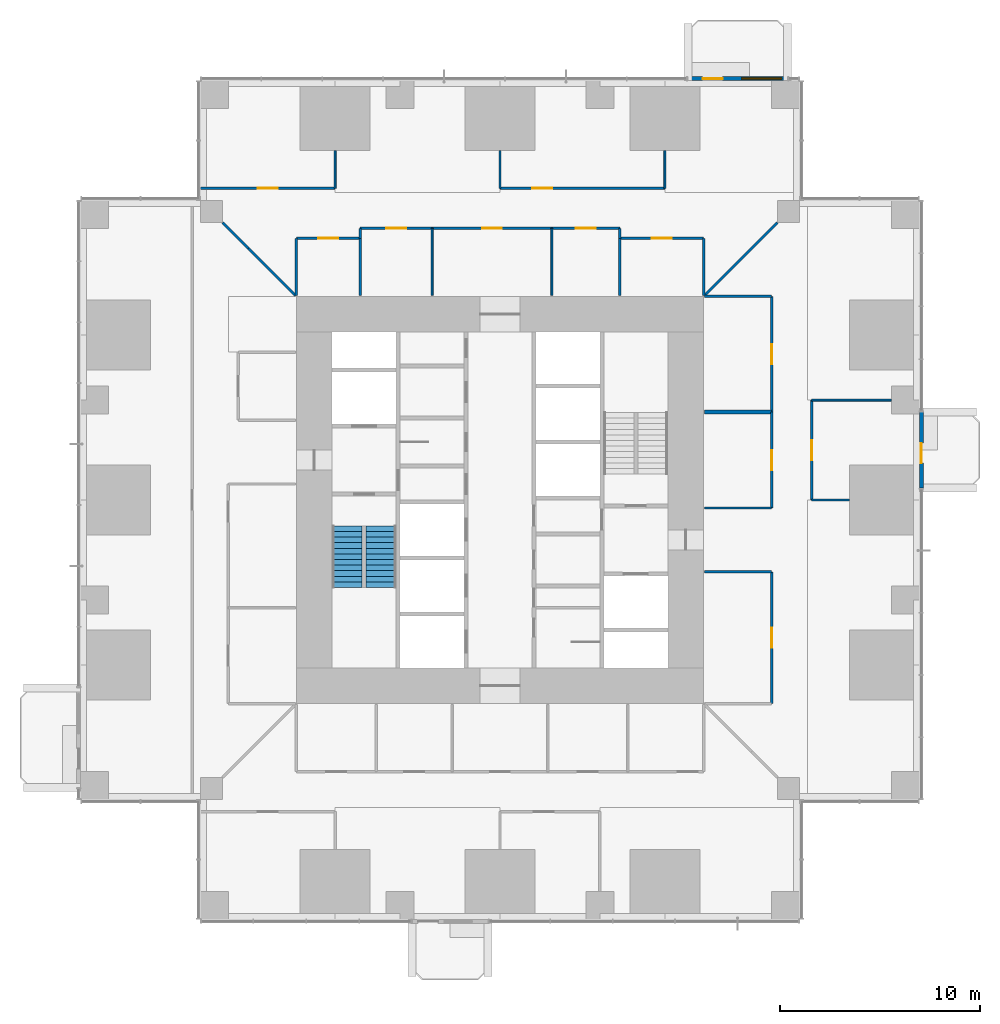
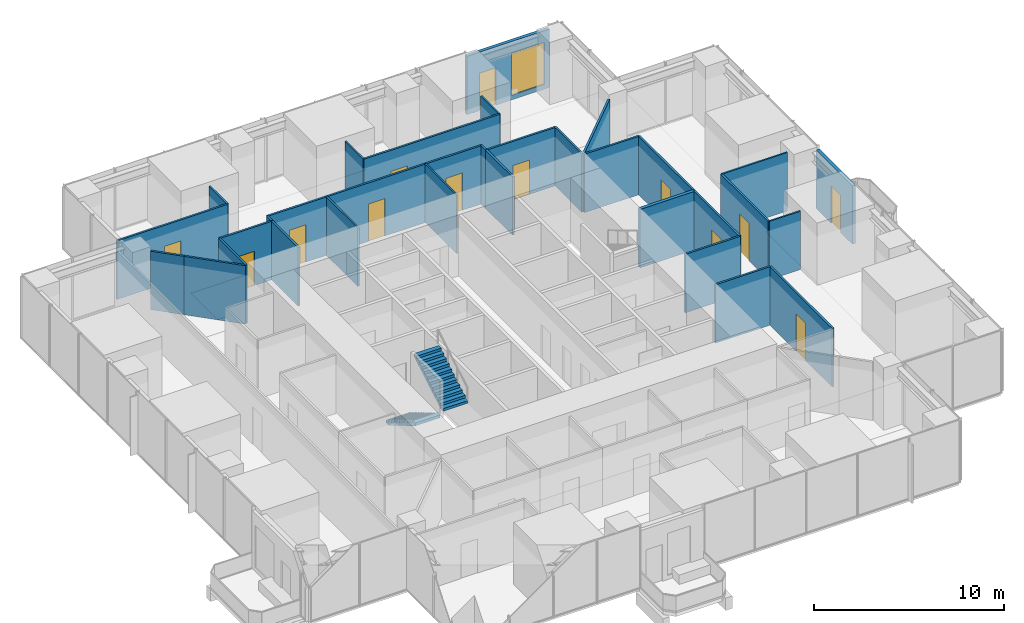
# One storey, part 13 of 18: 33 walls, 13 doors, 2 stair flights, 1 window, 14 openings, 1 element without a shape of its own.
"""IFC4 building model written with IfcOpenShell, lengths in metres."""

from ifc_helpers import new_model, si_unit, direction, frame, frame_2d, origin, place, context, subcontext, project, spatial, polyline, rectangle, outline, extrude, material, layer, layer_set, type_object, element, fill, aggregate, save


model = new_model("IFC4")

# Units and contexts
model_context = context("Model", 3, precision=1e-05, world=origin(), true_north=direction((0.0, 1.0)))
body_context = subcontext(model_context, "Body", "Model", "MODEL_VIEW")
ifc_project = project(units=[si_unit("LENGTHUNIT", "METRE"), si_unit("AREAUNIT", "SQUARE_METRE"), si_unit("VOLUMEUNIT", "CUBIC_METRE"), si_unit("PLANEANGLEUNIT", "RADIAN"), si_unit("MASSUNIT", "GRAM", prefix="KILO")], contexts=[model_context])

# Site, building, storey
site_placement = place(None, origin())
site = spatial("IfcSite", under=ifc_project, at=site_placement, CompositionType="ELEMENT")
building_placement = place(site_placement, origin())
building = spatial("IfcBuilding", under=site, at=building_placement, Name="Svetlomir Tower", CompositionType="ELEMENT")
storey_placement = place(building_placement, frame((0.0, 0.0, 46.5)))
storey = spatial("IfcBuildingStorey", under=building, at=storey_placement, Name="L10", CompositionType="ELEMENT", Elevation=46.5)

# Wall
ifc_material_1 = material(Name="Gypsum board on twin steel studs", Category="steel")
ifc_layer_1 = layer(ifc_material_1, 0.199951171875)
ifc_layer_set_1 = layer_set([ifc_layer_1], Name="Gypsum board on twin steel studs")
wall_type_1 = type_object("IfcWallType", Name="ACOUSTIC PARTITION 200", PredefinedType="PARTITIONING", material=ifc_layer_set_1)
wall_1_placement = place(storey_placement, frame((31.25, 25.39990234375, 0.0), z_axis=(0.0, 0.0, 1.0), x_axis=(1.0, 0.0, 0.0)))
element("IfcWall", 1, at=wall_1_placement, inside=storey, type_object=wall_type_1, Name="Acoustic partition L10", PredefinedType="PARTITIONING", context=body_context, shape_type="SweptSolid", body=[
    extrude(rectangle(XDim=3.35009765625, YDim=0.199951171875, at=frame_2d((1.675048828125, 0.0))), origin(), (0.0, 0.0, 1.0), 3.75),
])

# Wall, opening, door
ifc_material_2 = material(Name="Bronze anodised aluminium glazed screen", Category="aluminium")
ifc_layer_2 = layer(ifc_material_2, 0.199951171875)
ifc_layer_set_2 = layer_set([ifc_layer_2], Name="Bronze anodised aluminium glazed screen")
wall_type_2 = type_object("IfcWallType", Name="BALCONY SCREEN WALL 200", PredefinedType="USERDEFINED", material=ifc_layer_set_2)
wall_2_placement = place(storey_placement, frame((42.10009765625, 21.60009765625, 0.0), z_axis=(0.0, 0.0, 1.0), x_axis=(0.0, 1.0, 0.0)))
wall_2 = element("IfcWall", 2, at=wall_2_placement, inside=storey, type_object=wall_type_2, Name="Balcony screen E", ObjectType="GLAZED SCREEN", PredefinedType="USERDEFINED", context=body_context, shape_type="SweptSolid", body=[
    extrude(rectangle(XDim=3.7998046875, YDim=0.199951171875, at=frame_2d((1.89990234375, 0.0))), origin(), (0.0, 0.0, 1.0), 3.75),
])
opening_1_placement = place(wall_2_placement, frame((1.25, 0.0, 0.0)))
opening_1 = element("IfcOpeningElement", 3, at=opening_1_placement, cuts=wall_2, Name="Opening BD", PredefinedType="OPENING", context=body_context, shape_type="SweptSolid", body=[
    extrude(rectangle(XDim=1.0, YDim=2.39990234375, at=frame_2d((0.5, 1.199951171875))), frame((0.0, 0.10986328125, 0.0), z_axis=(0.0, -1.0, 0.0), x_axis=(1.0, 0.0, 0.0)), (0.0, 0.0, 1.0), 0.219970703125),
])
ifc_material_3 = material(Name="Bronze anodised aluminium glazed door", Category="aluminium")
door_type_1 = type_object("IfcDoorType", Name="BALCONY DOOR BD 1000x2400", OperationType="SINGLE_SWING_LEFT", PredefinedType="DOOR", material=ifc_material_3)
door_1_placement = place(opening_1_placement, origin())
door_1 = element("IfcDoor", 4, at=door_1_placement, inside=storey, type_object=door_type_1, Name="Balcony screen E door", OperationType="SINGLE_SWING_LEFT", OverallHeight=2.39990234375, OverallWidth=1.0, PredefinedType="DOOR", context=body_context, shape_type="SweptSolid", body=[
    extrude(rectangle(XDim=1.0, YDim=2.39990234375, at=frame_2d((0.5, 1.199951171875))), frame((0.0, 0.02490234375, 0.0), z_axis=(0.0, -1.0, 0.0), x_axis=(1.0, 0.0, 0.0)), (0.0, 0.0, 1.0), 0.050048828125),
])
fill(opening_1, door_1)

# Wall, openings, door, window
wall_3_placement = place(storey_placement, frame((35.39990234375, 42.10009765625, 0.0), z_axis=(0.0, 0.0, 1.0), x_axis=(-1.0, 0.0, 0.0)))
wall_3 = element("IfcWall", 5, at=wall_3_placement, inside=storey, type_object=wall_type_2, Name="Balcony screen N", ObjectType="GLAZED SCREEN", PredefinedType="USERDEFINED", context=body_context, shape_type="SweptSolid", body=[
    extrude(rectangle(XDim=5.0, YDim=0.199951171875, at=frame_2d((2.5, 0.0))), origin(), (0.0, 0.0, 1.0), 3.75),
])
opening_2_placement = place(wall_3_placement, frame((3.25, 0.0, 0.0)))
opening_2 = element("IfcOpeningElement", 6, at=opening_2_placement, cuts=wall_3, Name="Opening BD", PredefinedType="OPENING", context=body_context, shape_type="SweptSolid", body=[
    extrude(rectangle(XDim=1.0, YDim=2.39990234375, at=frame_2d((0.5, 1.199951171875))), frame((0.0, 0.10986328125, 0.0), z_axis=(0.0, -1.0, 0.0), x_axis=(1.0, 0.0, 0.0)), (0.0, 0.0, 1.0), 0.219970703125),
])
opening_3_placement = place(wall_3_placement, frame((0.300048828125, 0.0, 0.300048828125)))
opening_3 = element("IfcOpeningElement", 7, at=opening_3_placement, cuts=wall_3, Name="Opening WS", PredefinedType="OPENING", context=body_context, shape_type="SweptSolid", body=[
    extrude(rectangle(XDim=2.0, YDim=2.699951171875, at=frame_2d((1.0, 1.35009765625))), frame((0.0, 0.10986328125, 0.0), z_axis=(0.0, -1.0, 0.0), x_axis=(1.0, 0.0, 0.0)), (0.0, 0.0, 1.0), 0.219970703125),
])
door_2_placement = place(opening_2_placement, origin())
door_2 = element("IfcDoor", 8, at=door_2_placement, inside=storey, type_object=door_type_1, Name="Balcony screen N door", OperationType="SINGLE_SWING_LEFT", OverallHeight=2.39990234375, OverallWidth=1.0, PredefinedType="DOOR", context=body_context, shape_type="SweptSolid", body=[
    extrude(rectangle(XDim=1.0, YDim=2.39990234375, at=frame_2d((0.5, 1.199951171875))), frame((0.0, 0.02490234375, 0.0), z_axis=(0.0, -1.0, 0.0), x_axis=(1.0, 0.0, 0.0)), (0.0, 0.0, 1.0), 0.050048828125),
])
fill(opening_2, door_2)
ifc_material_4 = material(Name="Bronze anodised aluminium window", Category="aluminium")
window_type = type_object("IfcWindowType", Name="SCREEN WINDOW WS 2000x2700", PartitioningType="SINGLE_PANEL", PredefinedType="WINDOW", material=ifc_material_4)
window_placement = place(opening_3_placement, origin())
window = element("IfcWindow", 9, at=window_placement, inside=storey, type_object=window_type, Name="Balcony screen N window 1", OverallHeight=2.699951171875, OverallWidth=2.0, PartitioningType="SINGLE_PANEL", PredefinedType="WINDOW", context=body_context, shape_type="SweptSolid", body=[
    extrude(rectangle(XDim=2.0, YDim=2.699951171875, at=frame_2d((1.0, 1.35009765625))), frame((0.0, 0.030029296875, 0.0), z_axis=(0.0, -1.0, 0.0), x_axis=(1.0, 0.0, 0.0)), (0.0, 0.0, 1.0), 0.06005859375),
])
fill(opening_3, window)

# Walls
ifc_material_5 = material(Name="Framed laminated glass partition", Category="glass")
ifc_layer_3 = layer(ifc_material_5, 0.10009765625)
ifc_layer_set_3 = layer_set([ifc_layer_3], Name="Framed laminated glass partition")
wall_type_3 = type_object("IfcWallType", Name="GLAZED PARTITION 100", PredefinedType="PARTITIONING", material=ifc_layer_set_3)
wall_4_placement = place(storey_placement, frame((12.75, 36.60009765625, 0.0), z_axis=(0.0, 0.0, 1.0), x_axis=(0.0, 1.0, 0.0)))
element("IfcWall", 10, at=wall_4_placement, inside=storey, type_object=wall_type_3, Name="Glazed partition L10", PredefinedType="PARTITIONING", context=body_context, shape_type="SweptSolid", body=[
    extrude(rectangle(XDim=1.889892578125, YDim=0.10009765625, at=frame_2d((0.94482421875, 0.0))), origin(), (0.0, 0.0, 1.0), 3.75),
])
wall_5_placement = place(storey_placement, frame((17.60009765625, 31.25, 0.0), z_axis=(0.0, 0.0, 1.0), x_axis=(0.0, 1.0, 0.0)))
element("IfcWall", 11, at=wall_5_placement, inside=storey, type_object=wall_type_3, Name="Glazed partition L10", PredefinedType="PARTITIONING", context=body_context, shape_type="SweptSolid", body=[
    extrude(rectangle(XDim=3.35009765625, YDim=0.10009765625, at=frame_2d((1.675048828125, 0.0))), origin(), (0.0, 0.0, 1.0), 3.75),
])
wall_6_placement = place(storey_placement, frame((21.0, 36.60009765625, 0.0), z_axis=(0.0, 0.0, 1.0), x_axis=(0.0, 1.0, 0.0)))
element("IfcWall", 12, at=wall_6_placement, inside=storey, type_object=wall_type_3, Name="Glazed partition L10", PredefinedType="PARTITIONING", context=body_context, shape_type="SweptSolid", body=[
    extrude(rectangle(XDim=1.889892578125, YDim=0.10009765625, at=frame_2d((0.94482421875, 0.0))), origin(), (0.0, 0.0, 1.0), 3.75),
])
wall_7_placement = place(storey_placement, frame((23.60009765625, 31.25, 0.0), z_axis=(0.0, 0.0, 1.0), x_axis=(0.0, 1.0, 0.0)))
element("IfcWall", 13, at=wall_7_placement, inside=storey, type_object=wall_type_3, Name="Glazed partition L10", PredefinedType="PARTITIONING", context=body_context, shape_type="SweptSolid", body=[
    extrude(rectangle(XDim=3.35009765625, YDim=0.10009765625, at=frame_2d((1.675048828125, 0.0))), origin(), (0.0, 0.0, 1.0), 3.75),
])
for number, where, z_axis, x_axis, name in (
    (14, (29.25, 36.60009765625, 0.0), (0.0, 0.0, 1.0), (0.0, 1.0, 0.0), "Glazed partition L10"),
    (15, (36.60009765625, 21.0, 0.0), (0.0, 0.0, 1.0), (1.0, 0.0, 0.0), "Glazed partition L10"),
):
    element("IfcWall", number, at=place(storey_placement, frame(where, z_axis=z_axis, x_axis=x_axis)), inside=storey, type_object=wall_type_3, Name=name, PredefinedType="PARTITIONING", context=body_context, shape_type="SweptSolid", body=[
        extrude(rectangle(XDim=1.889892578125, YDim=0.10009765625, at=frame_2d((0.94482421875, 0.0))), origin(), (0.0, 0.0, 1.0), 3.75),
    ])
wall_8_placement = place(storey_placement, frame((36.60009765625, 26.0, 0.0), z_axis=(0.0, 0.0, 1.0), x_axis=(1.0, 0.0, 0.0)))
element("IfcWall", 16, at=wall_8_placement, inside=storey, type_object=wall_type_3, Name="Glazed partition L10", PredefinedType="PARTITIONING", context=body_context, shape_type="SweptSolid", body=[
    extrude(rectangle(XDim=3.989990234375, YDim=0.10009765625, at=frame_2d((1.9951171875, 0.0))), origin(), (0.0, 0.0, 1.0), 3.75),
])

# Wall, opening, door
ifc_material_6 = material(Name="Gypsum board on steel studs", Category="steel")
ifc_layer_4 = layer(ifc_material_6, 0.1201171875)
ifc_layer_set_4 = layer_set([ifc_layer_4], Name="Gypsum board on steel studs")
wall_type_4 = type_object("IfcWallType", Name="PARTITION 120", PredefinedType="PARTITIONING", material=ifc_layer_set_4)
wall_9_placement = place(storey_placement, frame((6.0, 36.60009765625, 0.0), z_axis=(0.0, 0.0, 1.0), x_axis=(1.0, 0.0, 0.0)))
wall_9 = element("IfcWall", 17, at=wall_9_placement, inside=storey, type_object=wall_type_4, Name="Partition L10", PredefinedType="PARTITIONING", context=body_context, shape_type="SweptSolid", body=[
    extrude(rectangle(XDim=6.75, YDim=0.1201171875, at=frame_2d((3.375, 0.0))), origin(), (0.0, 0.0, 1.0), 3.75),
])
opening_4_placement = place(wall_9_placement, frame((2.875, 0.0, 0.0)))
opening_4 = element("IfcOpeningElement", 18, at=opening_4_placement, cuts=wall_9, Name="Opening DG", PredefinedType="OPENING", context=body_context, shape_type="SweptSolid", body=[
    extrude(rectangle(XDim=1.0, YDim=2.39990234375, at=frame_2d((0.5, 1.199951171875))), frame((0.0, 0.070068359375, 0.0), z_axis=(0.0, -1.0, 0.0), x_axis=(1.0, 0.0, 0.0)), (0.0, 0.0, 1.0), 0.14013671875),
])
ifc_material_7 = material(Name="Framed laminated glass door", Category="glass")
door_type_2 = type_object("IfcDoorType", Name="GLAZED DOOR DG 1000x2400", OperationType="SINGLE_SWING_LEFT", PredefinedType="DOOR", material=ifc_material_7)
door_3_placement = place(opening_4_placement, origin())
door_3 = element("IfcDoor", 19, at=door_3_placement, inside=storey, type_object=door_type_2, Name="Build lab door L10", OperationType="SINGLE_SWING_RIGHT", OverallHeight=2.39990234375, OverallWidth=1.0, PredefinedType="DOOR", context=body_context, shape_type="SweptSolid", body=[
    extrude(rectangle(XDim=1.0, YDim=2.39990234375, at=frame_2d((0.5, 1.199951171875))), frame((0.0, 0.02490234375, 0.0), z_axis=(0.0, -1.0, 0.0), x_axis=(1.0, 0.0, 0.0)), (0.0, 0.0, 1.0), 0.050048828125),
])
fill(opening_4, door_3)

# Walls
wall_10_placement = place(storey_placement, frame((7.110107421875, 34.889892578125, 0.0), z_axis=(0.0, 0.0, 1.0), x_axis=(0.707106781187, -0.707106781187, 0.0)))
element("IfcWall", 20, at=wall_10_placement, inside=storey, type_object=wall_type_4, Name="Partition L10", PredefinedType="PARTITIONING", context=body_context, shape_type="SweptSolid", body=[
    extrude(rectangle(XDim=1.822021484375, YDim=0.1201171875, at=frame_2d((0.9111328125, 0.0))), origin(), (0.0, 0.0, 1.0), 3.75),
])
wall_11_placement = place(storey_placement, frame((8.3984375, 33.6015625, 0.0), z_axis=(0.0, 0.0, 1.0), x_axis=(0.707106781187, -0.707106781187, 0.0)))
element("IfcWall", 21, at=wall_11_placement, inside=storey, type_object=wall_type_4, Name="Partition L10", PredefinedType="PARTITIONING", context=body_context, shape_type="SweptSolid", body=[
    extrude(rectangle(XDim=3.346435546875, YDim=0.1201171875, at=frame_2d((1.67333984375, 0.0))), origin(), (0.0, 0.0, 1.0), 3.75),
])
wall_12_placement = place(storey_placement, frame((10.800048828125, 31.25, 0.0), z_axis=(0.0, 0.0, 1.0), x_axis=(0.0, 1.0, 0.0)))
element("IfcWall", 22, at=wall_12_placement, inside=storey, type_object=wall_type_4, Name="Partition L10", PredefinedType="PARTITIONING", context=body_context, shape_type="SweptSolid", body=[
    extrude(rectangle(XDim=2.85009765625, YDim=0.1201171875, at=frame_2d((1.425048828125, 0.0))), origin(), (0.0, 0.0, 1.0), 3.75),
])

# Wall, opening, door
wall_13_placement = place(storey_placement, frame((10.800048828125, 34.10009765625, 0.0), z_axis=(0.0, 0.0, 1.0), x_axis=(1.0, 0.0, 0.0)))
wall_13 = element("IfcWall", 23, at=wall_13_placement, inside=storey, type_object=wall_type_4, Name="Partition L10", PredefinedType="PARTITIONING", context=body_context, shape_type="SweptSolid", body=[
    extrude(rectangle(XDim=3.199951171875, YDim=0.1201171875, at=frame_2d((1.60009765625, 0.0))), origin(), (0.0, 0.0, 1.0), 3.75),
])
opening_5_placement = place(wall_13_placement, frame((1.10009765625, 0.0, 0.0)))
opening_5 = element("IfcOpeningElement", 24, at=opening_5_placement, cuts=wall_13, Name="Opening DR", PredefinedType="OPENING", context=body_context, shape_type="SweptSolid", body=[
    extrude(rectangle(XDim=1.0, YDim=2.199951171875, at=frame_2d((0.5, 1.10009765625))), frame((0.0, 0.070068359375, 0.0), z_axis=(0.0, -1.0, 0.0), x_axis=(1.0, 0.0, 0.0)), (0.0, 0.0, 1.0), 0.14013671875),
])
ifc_material_8 = material(Name="Timber door, glazed side light", Category="wood")
door_type_3 = type_object("IfcDoorType", Name="DOOR DR 1000x2200", OperationType="SINGLE_SWING_LEFT", PredefinedType="DOOR", material=ifc_material_8)
door_4_placement = place(opening_5_placement, origin())
door_4 = element("IfcDoor", 25, at=door_4_placement, inside=storey, type_object=door_type_3, Name="Device store door L10", OperationType="SINGLE_SWING_RIGHT", OverallHeight=2.199951171875, OverallWidth=1.0, PredefinedType="DOOR", context=body_context, shape_type="SweptSolid", body=[
    extrude(rectangle(XDim=1.0, YDim=2.199951171875, at=frame_2d((0.5, 1.10009765625))), frame((0.0, 0.02490234375, 0.0), z_axis=(0.0, -1.0, 0.0), x_axis=(1.0, 0.0, 0.0)), (0.0, 0.0, 1.0), 0.050048828125),
])
fill(opening_5, door_4)

# Walls
wall_14_placement = place(storey_placement, frame((14.0, 31.25, 0.0), z_axis=(0.0, 0.0, 1.0), x_axis=(0.0, 1.0, 0.0)))
element("IfcWall", 26, at=wall_14_placement, inside=storey, type_object=wall_type_4, Name="Partition L10", PredefinedType="PARTITIONING", context=body_context, shape_type="SweptSolid", body=[
    extrude(rectangle(XDim=2.85009765625, YDim=0.1201171875, at=frame_2d((1.425048828125, 0.0))), origin(), (0.0, 0.0, 1.0), 3.75),
])
wall_15_placement = place(storey_placement, frame((14.0, 34.10009765625, 0.0), z_axis=(0.0, 0.0, 1.0), x_axis=(0.0, 1.0, 0.0)))
element("IfcWall", 27, at=wall_15_placement, inside=storey, type_object=wall_type_4, Name="Partition L10", PredefinedType="PARTITIONING", context=body_context, shape_type="SweptSolid", body=[
    extrude(rectangle(XDim=0.5, YDim=0.1201171875, at=frame_2d((0.25, 0.0))), origin(), (0.0, 0.0, 1.0), 3.75),
])

# Wall, opening, door
wall_16_placement = place(storey_placement, frame((14.0, 34.60009765625, 0.0), z_axis=(0.0, 0.0, 1.0), x_axis=(1.0, 0.0, 0.0)))
wall_16 = element("IfcWall", 28, at=wall_16_placement, inside=storey, type_object=wall_type_4, Name="Partition L10", PredefinedType="PARTITIONING", context=body_context, shape_type="SweptSolid", body=[
    extrude(rectangle(XDim=3.60009765625, YDim=0.1201171875, at=frame_2d((1.800048828125, 0.0))), origin(), (0.0, 0.0, 1.0), 3.75),
])
opening_6_placement = place(wall_16_placement, frame((1.300048828125, 0.0, 0.0)))
opening_6 = element("IfcOpeningElement", 29, at=opening_6_placement, cuts=wall_16, Name="Opening DG", PredefinedType="OPENING", context=body_context, shape_type="SweptSolid", body=[
    extrude(rectangle(XDim=1.0, YDim=2.39990234375, at=frame_2d((0.5, 1.199951171875))), frame((0.0, 0.070068359375, 0.0), z_axis=(0.0, -1.0, 0.0), x_axis=(1.0, 0.0, 0.0)), (0.0, 0.0, 1.0), 0.14013671875),
])
door_5_placement = place(opening_6_placement, origin())
door_5 = element("IfcDoor", 30, at=door_5_placement, inside=storey, type_object=door_type_2, Name="Huddle room, 6 seats door L10", OperationType="SINGLE_SWING_LEFT", OverallHeight=2.39990234375, OverallWidth=1.0, PredefinedType="DOOR", context=body_context, shape_type="SweptSolid", body=[
    extrude(rectangle(XDim=1.0, YDim=2.39990234375, at=frame_2d((0.5, 1.199951171875))), frame((0.0, 0.02490234375, 0.0), z_axis=(0.0, -1.0, 0.0), x_axis=(1.0, 0.0, 0.0)), (0.0, 0.0, 1.0), 0.050048828125),
])
fill(opening_6, door_5)

wall_17_placement = place(storey_placement, frame((17.60009765625, 34.60009765625, 0.0), z_axis=(0.0, 0.0, 1.0), x_axis=(1.0, 0.0, 0.0)))
wall_17 = element("IfcWall", 31, at=wall_17_placement, inside=storey, type_object=wall_type_4, Name="Partition L10", PredefinedType="PARTITIONING", context=body_context, shape_type="SweptSolid", body=[
    extrude(rectangle(XDim=6.0, YDim=0.1201171875, at=frame_2d((3.0, 0.0))), origin(), (0.0, 0.0, 1.0), 3.75),
])
opening_7_placement = place(wall_17_placement, frame((2.5, 0.0, 0.0)))
opening_7 = element("IfcOpeningElement", 32, at=opening_7_placement, cuts=wall_17, Name="Opening DG", PredefinedType="OPENING", context=body_context, shape_type="SweptSolid", body=[
    extrude(rectangle(XDim=1.0, YDim=2.39990234375, at=frame_2d((0.5, 1.199951171875))), frame((0.0, 0.070068359375, 0.0), z_axis=(0.0, -1.0, 0.0), x_axis=(1.0, 0.0, 0.0)), (0.0, 0.0, 1.0), 0.14013671875),
])
door_6_placement = place(opening_7_placement, origin())
door_6 = element("IfcDoor", 33, at=door_6_placement, inside=storey, type_object=door_type_2, Name="Ring corridor 4 door 3 L10", OperationType="SINGLE_SWING_RIGHT", OverallHeight=2.39990234375, OverallWidth=1.0, PredefinedType="DOOR", context=body_context, shape_type="SweptSolid", body=[
    extrude(rectangle(XDim=1.0, YDim=2.39990234375, at=frame_2d((0.5, 1.199951171875))), frame((0.0, 0.02490234375, 0.0), z_axis=(0.0, -1.0, 0.0), x_axis=(1.0, 0.0, 0.0)), (0.0, 0.0, 1.0), 0.050048828125),
])
fill(opening_7, door_6)

wall_18_placement = place(storey_placement, frame((21.0, 36.60009765625, 0.0), z_axis=(0.0, 0.0, 1.0), x_axis=(1.0, 0.0, 0.0)))
wall_18 = element("IfcWall", 34, at=wall_18_placement, inside=storey, type_object=wall_type_4, Name="Partition L10", PredefinedType="PARTITIONING", context=body_context, shape_type="SweptSolid", body=[
    extrude(rectangle(XDim=8.25, YDim=0.1201171875, at=frame_2d((4.125, 0.0))), origin(), (0.0, 0.0, 1.0), 3.75),
])
opening_8_placement = place(wall_18_placement, frame((1.625, 0.0, 0.0)))
opening_8 = element("IfcOpeningElement", 35, at=opening_8_placement, cuts=wall_18, Name="Opening DG", PredefinedType="OPENING", context=body_context, shape_type="SweptSolid", body=[
    extrude(rectangle(XDim=1.0, YDim=2.39990234375, at=frame_2d((0.5, 1.199951171875))), frame((0.0, 0.070068359375, 0.0), z_axis=(0.0, -1.0, 0.0), x_axis=(1.0, 0.0, 0.0)), (0.0, 0.0, 1.0), 0.14013671875),
])
door_7_placement = place(opening_8_placement, origin())
door_7 = element("IfcDoor", 36, at=door_7_placement, inside=storey, type_object=door_type_2, Name="Device test room door L10", OperationType="SINGLE_SWING_LEFT", OverallHeight=2.39990234375, OverallWidth=1.0, PredefinedType="DOOR", context=body_context, shape_type="SweptSolid", body=[
    extrude(rectangle(XDim=1.0, YDim=2.39990234375, at=frame_2d((0.5, 1.199951171875))), frame((0.0, 0.02490234375, 0.0), z_axis=(0.0, -1.0, 0.0), x_axis=(1.0, 0.0, 0.0)), (0.0, 0.0, 1.0), 0.050048828125),
])
fill(opening_8, door_7)

wall_19_placement = place(storey_placement, frame((23.60009765625, 34.60009765625, 0.0), z_axis=(0.0, 0.0, 1.0), x_axis=(1.0, 0.0, 0.0)))
wall_19 = element("IfcWall", 37, at=wall_19_placement, inside=storey, type_object=wall_type_4, Name="Partition L10", PredefinedType="PARTITIONING", context=body_context, shape_type="SweptSolid", body=[
    extrude(rectangle(XDim=3.39990234375, YDim=0.1201171875, at=frame_2d((1.699951171875, 0.0))), origin(), (0.0, 0.0, 1.0), 3.75),
])
opening_9_placement = place(wall_19_placement, frame((1.199951171875, 0.0, 0.0)))
opening_9 = element("IfcOpeningElement", 38, at=opening_9_placement, cuts=wall_19, Name="Opening DG", PredefinedType="OPENING", context=body_context, shape_type="SweptSolid", body=[
    extrude(rectangle(XDim=1.0, YDim=2.39990234375, at=frame_2d((0.5, 1.199951171875))), frame((0.0, 0.070068359375, 0.0), z_axis=(0.0, -1.0, 0.0), x_axis=(1.0, 0.0, 0.0)), (0.0, 0.0, 1.0), 0.14013671875),
])
door_8_placement = place(opening_9_placement, origin())
door_8 = element("IfcDoor", 39, at=door_8_placement, inside=storey, type_object=door_type_2, Name="Focus room door L10", OperationType="SINGLE_SWING_RIGHT", OverallHeight=2.39990234375, OverallWidth=1.0, PredefinedType="DOOR", context=body_context, shape_type="SweptSolid", body=[
    extrude(rectangle(XDim=1.0, YDim=2.39990234375, at=frame_2d((0.5, 1.199951171875))), frame((0.0, 0.02490234375, 0.0), z_axis=(0.0, -1.0, 0.0), x_axis=(1.0, 0.0, 0.0)), (0.0, 0.0, 1.0), 0.050048828125),
])
fill(opening_9, door_8)

# Walls
wall_20_placement = place(storey_placement, frame((27.0, 31.25, 0.0), z_axis=(0.0, 0.0, 1.0), x_axis=(0.0, 1.0, 0.0)))
element("IfcWall", 40, at=wall_20_placement, inside=storey, type_object=wall_type_4, Name="Partition L10", PredefinedType="PARTITIONING", context=body_context, shape_type="SweptSolid", body=[
    extrude(rectangle(XDim=2.85009765625, YDim=0.1201171875, at=frame_2d((1.425048828125, 0.0))), origin(), (0.0, 0.0, 1.0), 3.75),
])
wall_21_placement = place(storey_placement, frame((27.0, 34.10009765625, 0.0), z_axis=(0.0, 0.0, 1.0), x_axis=(0.0, 1.0, 0.0)))
element("IfcWall", 41, at=wall_21_placement, inside=storey, type_object=wall_type_4, Name="Partition L10", PredefinedType="PARTITIONING", context=body_context, shape_type="SweptSolid", body=[
    extrude(rectangle(XDim=0.5, YDim=0.1201171875, at=frame_2d((0.25, 0.0))), origin(), (0.0, 0.0, 1.0), 3.75),
])

# Wall, opening, door
wall_22_placement = place(storey_placement, frame((27.0, 34.10009765625, 0.0), z_axis=(0.0, 0.0, 1.0), x_axis=(1.0, 0.0, 0.0)))
wall_22 = element("IfcWall", 42, at=wall_22_placement, inside=storey, type_object=wall_type_4, Name="Partition L10", PredefinedType="PARTITIONING", context=body_context, shape_type="SweptSolid", body=[
    extrude(rectangle(XDim=4.199951171875, YDim=0.1201171875, at=frame_2d((2.10009765625, 0.0))), origin(), (0.0, 0.0, 1.0), 3.75),
])
opening_10_placement = place(wall_22_placement, frame((1.60009765625, 0.0, 0.0)))
opening_10 = element("IfcOpeningElement", 43, at=opening_10_placement, cuts=wall_22, Name="Opening DR", PredefinedType="OPENING", context=body_context, shape_type="SweptSolid", body=[
    extrude(rectangle(XDim=1.0, YDim=2.199951171875, at=frame_2d((0.5, 1.10009765625))), frame((0.0, 0.070068359375, 0.0), z_axis=(0.0, -1.0, 0.0), x_axis=(1.0, 0.0, 0.0)), (0.0, 0.0, 1.0), 0.14013671875),
])
door_9_placement = place(opening_10_placement, origin())
door_9 = element("IfcDoor", 44, at=door_9_placement, inside=storey, type_object=door_type_3, Name="Print and copy room door L10", OperationType="SINGLE_SWING_LEFT", OverallHeight=2.199951171875, OverallWidth=1.0, PredefinedType="DOOR", context=body_context, shape_type="SweptSolid", body=[
    extrude(rectangle(XDim=1.0, YDim=2.199951171875, at=frame_2d((0.5, 1.10009765625))), frame((0.0, 0.02490234375, 0.0), z_axis=(0.0, -1.0, 0.0), x_axis=(1.0, 0.0, 0.0)), (0.0, 0.0, 1.0), 0.050048828125),
])
fill(opening_10, door_9)

# Walls
wall_23_placement = place(storey_placement, frame((31.199951171875, 31.25, 0.0), z_axis=(0.0, 0.0, 1.0), x_axis=(0.0, 1.0, 0.0)))
element("IfcWall", 45, at=wall_23_placement, inside=storey, type_object=wall_type_4, Name="Partition L10", PredefinedType="PARTITIONING", context=body_context, shape_type="SweptSolid", body=[
    extrude(rectangle(XDim=2.85009765625, YDim=0.1201171875, at=frame_2d((1.425048828125, 0.0))), origin(), (0.0, 0.0, 1.0), 3.75),
])
wall_24_placement = place(storey_placement, frame((31.2353515625, 31.2353515625, 0.0), z_axis=(0.0, 0.0, 1.0), x_axis=(0.707106781187, 0.707106781187, 0.0)))
element("IfcWall", 46, at=wall_24_placement, inside=storey, type_object=wall_type_4, Name="Partition L10", PredefinedType="PARTITIONING", context=body_context, shape_type="SweptSolid", body=[
    extrude(rectangle(XDim=5.168212890625, YDim=0.1201171875, at=frame_2d((2.583984375, 0.0))), origin(), (0.0, 0.0, 1.0), 3.75),
])
for number, where, z_axis, x_axis, name in (
    (47, (31.25, 17.39990234375, 0.0), (0.0, 0.0, 1.0), (1.0, 0.0, 0.0), "Partition L10"),
    (48, (31.25, 20.60009765625, 0.0), (0.0, 0.0, 1.0), (1.0, 0.0, 0.0), "Partition L10"),
    (49, (31.25, 31.199951171875, 0.0), (0.0, 0.0, 1.0), (1.0, 0.0, 0.0), "Partition L10"),
):
    element("IfcWall", number, at=place(storey_placement, frame(where, z_axis=z_axis, x_axis=x_axis)), inside=storey, type_object=wall_type_4, Name=name, PredefinedType="PARTITIONING", context=body_context, shape_type="SweptSolid", body=[
        extrude(rectangle(XDim=3.35009765625, YDim=0.1201171875, at=frame_2d((1.675048828125, 0.0))), origin(), (0.0, 0.0, 1.0), 3.75),
    ])

# Wall, opening, door
wall_25_placement = place(storey_placement, frame((34.60009765625, 10.800048828125, 0.0), z_axis=(0.0, 0.0, 1.0), x_axis=(0.0, 1.0, 0.0)))
wall_25 = element("IfcWall", 50, at=wall_25_placement, inside=storey, type_object=wall_type_4, Name="Partition L10", PredefinedType="PARTITIONING", context=body_context, shape_type="SweptSolid", body=[
    extrude(rectangle(XDim=6.599853515625, YDim=0.1201171875, at=frame_2d((3.2998046875, 0.0))), origin(), (0.0, 0.0, 1.0), 3.75),
])
opening_11_placement = place(wall_25_placement, frame((2.800048828125, 0.0, 0.0)))
opening_11 = element("IfcOpeningElement", 51, at=opening_11_placement, cuts=wall_25, Name="Opening DG", PredefinedType="OPENING", context=body_context, shape_type="SweptSolid", body=[
    extrude(rectangle(XDim=1.0, YDim=2.39990234375, at=frame_2d((0.5, 1.199951171875))), frame((0.0, 0.070068359375, 0.0), z_axis=(0.0, -1.0, 0.0), x_axis=(1.0, 0.0, 0.0)), (0.0, 0.0, 1.0), 0.14013671875),
])
door_10_placement = place(opening_11_placement, origin())
door_10 = element("IfcDoor", 52, at=door_10_placement, inside=storey, type_object=door_type_2, Name="Sprint planning room, 12 seats door L10", OperationType="SINGLE_SWING_RIGHT", OverallHeight=2.39990234375, OverallWidth=1.0, PredefinedType="DOOR", context=body_context, shape_type="SweptSolid", body=[
    extrude(rectangle(XDim=1.0, YDim=2.39990234375, at=frame_2d((0.5, 1.199951171875))), frame((0.0, 0.02490234375, 0.0), z_axis=(0.0, -1.0, 0.0), x_axis=(1.0, 0.0, 0.0)), (0.0, 0.0, 1.0), 0.050048828125),
])
fill(opening_11, door_10)

wall_26_placement = place(storey_placement, frame((34.60009765625, 20.60009765625, 0.0), z_axis=(0.0, 0.0, 1.0), x_axis=(0.0, 1.0, 0.0)))
wall_26 = element("IfcWall", 53, at=wall_26_placement, inside=storey, type_object=wall_type_4, Name="Partition L10", PredefinedType="PARTITIONING", context=body_context, shape_type="SweptSolid", body=[
    extrude(rectangle(XDim=4.7998046875, YDim=0.1201171875, at=frame_2d((2.39990234375, 0.0))), origin(), (0.0, 0.0, 1.0), 3.75),
])
opening_12_placement = place(wall_26_placement, frame((1.89990234375, 0.0, 0.0)))
opening_12 = element("IfcOpeningElement", 54, at=opening_12_placement, cuts=wall_26, Name="Opening DG", PredefinedType="OPENING", context=body_context, shape_type="SweptSolid", body=[
    extrude(rectangle(XDim=1.0, YDim=2.39990234375, at=frame_2d((0.5, 1.199951171875))), frame((0.0, 0.070068359375, 0.0), z_axis=(0.0, -1.0, 0.0), x_axis=(1.0, 0.0, 0.0)), (0.0, 0.0, 1.0), 0.14013671875),
])
door_11_placement = place(opening_12_placement, origin())
door_11 = element("IfcDoor", 55, at=door_11_placement, inside=storey, type_object=door_type_2, Name="Meeting room, 8 seats door L10", OperationType="SINGLE_SWING_LEFT", OverallHeight=2.39990234375, OverallWidth=1.0, PredefinedType="DOOR", context=body_context, shape_type="SweptSolid", body=[
    extrude(rectangle(XDim=1.0, YDim=2.39990234375, at=frame_2d((0.5, 1.199951171875))), frame((0.0, 0.02490234375, 0.0), z_axis=(0.0, -1.0, 0.0), x_axis=(1.0, 0.0, 0.0)), (0.0, 0.0, 1.0), 0.050048828125),
])
fill(opening_12, door_11)

wall_27_placement = place(storey_placement, frame((34.60009765625, 25.39990234375, 0.0), z_axis=(0.0, 0.0, 1.0), x_axis=(0.0, 1.0, 0.0)))
wall_27 = element("IfcWall", 56, at=wall_27_placement, inside=storey, type_object=wall_type_4, Name="Partition L10", PredefinedType="PARTITIONING", context=body_context, shape_type="SweptSolid", body=[
    extrude(rectangle(XDim=5.800048828125, YDim=0.1201171875, at=frame_2d((2.89990234375, 0.0))), origin(), (0.0, 0.0, 1.0), 3.75),
])
opening_13_placement = place(wall_27_placement, frame((2.39990234375, 0.0, 0.0)))
opening_13 = element("IfcOpeningElement", 57, at=opening_13_placement, cuts=wall_27, Name="Opening DG", PredefinedType="OPENING", context=body_context, shape_type="SweptSolid", body=[
    extrude(rectangle(XDim=1.0, YDim=2.39990234375, at=frame_2d((0.5, 1.199951171875))), frame((0.0, 0.070068359375, 0.0), z_axis=(0.0, -1.0, 0.0), x_axis=(1.0, 0.0, 0.0)), (0.0, 0.0, 1.0), 0.14013671875),
])
door_12_placement = place(opening_13_placement, origin())
door_12 = element("IfcDoor", 58, at=door_12_placement, inside=storey, type_object=door_type_2, Name="Scrum room, 6 seats door L10", OperationType="SINGLE_SWING_RIGHT", OverallHeight=2.39990234375, OverallWidth=1.0, PredefinedType="DOOR", context=body_context, shape_type="SweptSolid", body=[
    extrude(rectangle(XDim=1.0, YDim=2.39990234375, at=frame_2d((0.5, 1.199951171875))), frame((0.0, 0.02490234375, 0.0), z_axis=(0.0, -1.0, 0.0), x_axis=(1.0, 0.0, 0.0)), (0.0, 0.0, 1.0), 0.050048828125),
])
fill(opening_13, door_12)

wall_28_placement = place(storey_placement, frame((36.60009765625, 21.0, 0.0), z_axis=(0.0, 0.0, 1.0), x_axis=(0.0, 1.0, 0.0)))
wall_28 = element("IfcWall", 59, at=wall_28_placement, inside=storey, type_object=wall_type_4, Name="Partition L10", PredefinedType="PARTITIONING", context=body_context, shape_type="SweptSolid", body=[
    extrude(rectangle(XDim=5.0, YDim=0.1201171875, at=frame_2d((2.5, 0.0))), origin(), (0.0, 0.0, 1.0), 3.75),
])
opening_14_placement = place(wall_28_placement, frame((2.0, 0.0, 0.0)))
opening_14 = element("IfcOpeningElement", 60, at=opening_14_placement, cuts=wall_28, Name="Opening DG", PredefinedType="OPENING", context=body_context, shape_type="SweptSolid", body=[
    extrude(rectangle(XDim=1.0, YDim=2.39990234375, at=frame_2d((0.5, 1.199951171875))), frame((0.0, 0.070068359375, 0.0), z_axis=(0.0, -1.0, 0.0), x_axis=(1.0, 0.0, 0.0)), (0.0, 0.0, 1.0), 0.14013671875),
])
door_13_placement = place(opening_14_placement, origin())
door_13 = element("IfcDoor", 61, at=door_13_placement, inside=storey, type_object=door_type_2, Name="Tech cafe and kitchenette door L10", OperationType="SINGLE_SWING_LEFT", OverallHeight=2.39990234375, OverallWidth=1.0, PredefinedType="DOOR", context=body_context, shape_type="SweptSolid", body=[
    extrude(rectangle(XDim=1.0, YDim=2.39990234375, at=frame_2d((0.5, 1.199951171875))), frame((0.0, 0.02490234375, 0.0), z_axis=(0.0, -1.0, 0.0), x_axis=(1.0, 0.0, 0.0)), (0.0, 0.0, 1.0), 0.050048828125),
])
fill(opening_14, door_13)

# Stair, stair flights
ifc_material_9 = material(Name="Concrete C60/75", Category="concrete")
stair_type = type_object("IfcStairType", Name="EXIT STAIR 3200 RISE 4000", PredefinedType="HALF_TURN_STAIR", material=ifc_material_9)
stair_placement = place(storey_placement, origin())
stair = element("IfcStair", 62, at=stair_placement, inside=storey, type_object=stair_type, Name="Stair S1 L10 to L11", PredefinedType="HALF_TURN_STAIR")
ifc_material_10 = material(Name="Concrete C60/75", Category="concrete")
stair_flight_type = type_object("IfcStairFlightType", Name="STAIR FLIGHT 1500 OF 12 RISERS", PredefinedType="STRAIGHT", material=ifc_material_10)
stair_flight_1_placement = place(storey_placement, frame((13.35009765625, 19.699951171875, 0.0), z_axis=(0.0, 0.0, 1.0), x_axis=(0.0, -1.0, 0.0)))
stair_flight_1 = element("IfcStairFlight", 63, at=stair_flight_1_placement, type_object=stair_flight_type, Name="S1 flight 1", NumberOfRisers=12, NumberOfTreads=11, PredefinedType="STRAIGHT", RiserHeight=0.166666667, TreadLength=0.28, context=body_context, shape_type="SweptSolid", body=[
    extrude(outline(polyline([(0.0, 0.0), (0.0, 0.166748046875), (0.280029296875, 0.166748046875), (0.280029296875, 0.333251953125), (0.56005859375, 0.333251953125), (0.56005859375, 0.5), (0.840087890625, 0.5), (0.840087890625, 0.666748046875), (1.1201171875, 0.666748046875), (1.1201171875, 0.833251953125), (1.39990234375, 0.833251953125), (1.39990234375, 1.0), (1.679931640625, 1.0), (1.679931640625, 1.166748046875), (1.9599609375, 1.166748046875), (1.9599609375, 1.333251953125), (2.239990234375, 1.333251953125), (2.239990234375, 1.5), (2.52001953125, 1.5), (2.52001953125, 1.666748046875), (2.800048828125, 1.666748046875), (2.800048828125, 1.833251953125), (3.080078125, 1.833251953125), (3.080078125, 2.0), (3.080078125, 1.658935546875), (0.29296875, 0.0), (0.0, 0.0)])), frame((0.0, 0.75, 0.0), z_axis=(0.0, -1.0, 0.0), x_axis=(1.0, 0.0, 0.0)), (0.0, 0.0, 1.0), 1.5),
])
stair_flight_2_placement = place(storey_placement, frame((15.050048828125, 16.6201171875, 2.0), z_axis=(0.0, 0.0, 1.0), x_axis=(0.0, 1.0, 0.0)))
stair_flight_2 = element("IfcStairFlight", 64, at=stair_flight_2_placement, type_object=stair_flight_type, Name="S1 flight 2", NumberOfRisers=12, NumberOfTreads=11, PredefinedType="STRAIGHT", RiserHeight=0.166666667, TreadLength=0.28, context=body_context, shape_type="SweptSolid", body=[
    extrude(outline(polyline([(0.0, 0.0), (0.0, 0.166748046875), (0.280029296875, 0.166748046875), (0.280029296875, 0.333251953125), (0.56005859375, 0.333251953125), (0.56005859375, 0.5), (0.840087890625, 0.5), (0.840087890625, 0.666748046875), (1.1201171875, 0.666748046875), (1.1201171875, 0.833251953125), (1.39990234375, 0.833251953125), (1.39990234375, 1.0), (1.679931640625, 1.0), (1.679931640625, 1.166748046875), (1.9599609375, 1.166748046875), (1.9599609375, 1.333251953125), (2.239990234375, 1.333251953125), (2.239990234375, 1.5), (2.52001953125, 1.5), (2.52001953125, 1.666748046875), (2.800048828125, 1.666748046875), (2.800048828125, 1.833251953125), (3.080078125, 1.833251953125), (3.080078125, 2.0), (3.080078125, 1.658935546875), (0.29296875, 0.0), (0.0, 0.0)])), frame((0.0, 0.75, 0.0), z_axis=(0.0, -1.0, 0.0), x_axis=(1.0, 0.0, 0.0)), (0.0, 0.0, 1.0), 1.5),
])
aggregate(stair, [stair_flight_1, stair_flight_2])

save(model, "model.ifc")
